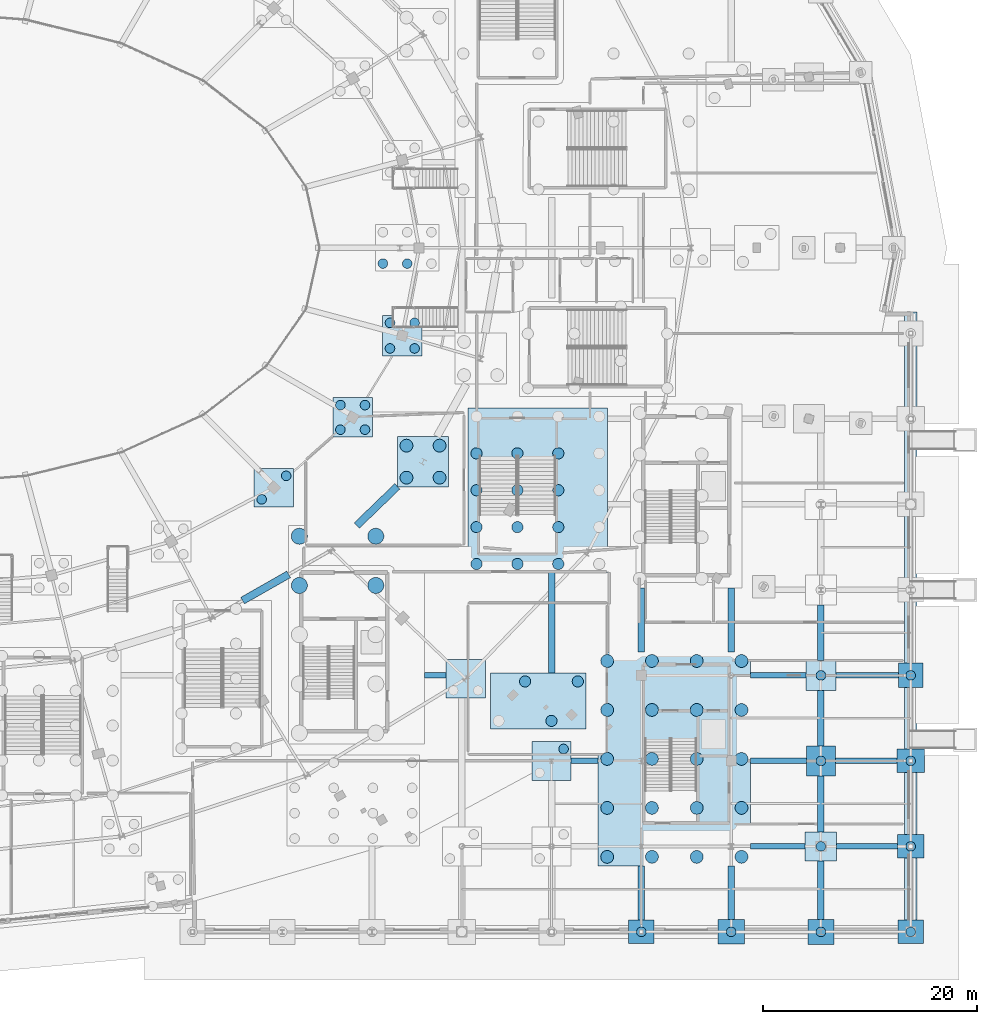
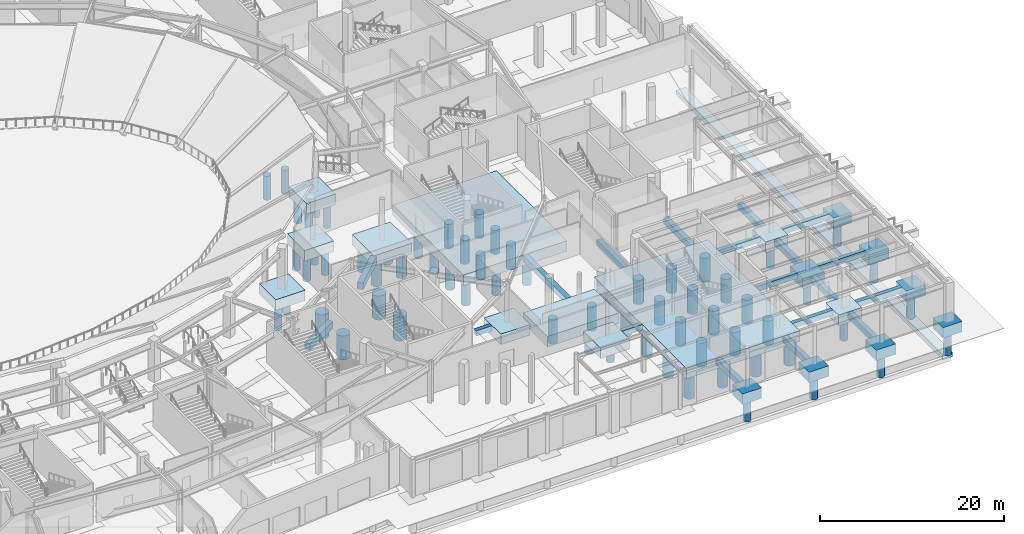
# One storey, part 6 of 93: 66 piles, 39 footings.
"""IFC4 building model written with IfcOpenShell, lengths in metres."""

from ifc_helpers import new_model, si_unit, direction, frame, origin, origin_2d, place, context, subcontext, project, spatial, polyline, rectangle, circle, outline, extrude, material, material_profile, profile_set, type_object, element, save


model = new_model("IFC4")

# Units and contexts
model_context = context("Model", 3, precision=1e-05, world=origin(), true_north=direction((0.0, 1.0)))
body_context = subcontext(model_context, "Body", "Model", "MODEL_VIEW")
ifc_project = project(units=[si_unit("LENGTHUNIT", "METRE"), si_unit("AREAUNIT", "SQUARE_METRE"), si_unit("VOLUMEUNIT", "CUBIC_METRE"), si_unit("PLANEANGLEUNIT", "RADIAN"), si_unit("MASSUNIT", "GRAM", prefix="KILO")], contexts=[model_context])

# Site, building, storey
site_placement = place(None, origin())
site = spatial("IfcSite", under=ifc_project, at=site_placement, CompositionType="ELEMENT")
building_placement = place(site_placement, origin())
building = spatial("IfcBuilding", under=site, at=building_placement, Name="Kalgoora Escarpment Arena", CompositionType="ELEMENT")
storey_placement = place(building_placement, origin())
storey = spatial("IfcBuildingStorey", under=building, at=storey_placement, Name="L00", CompositionType="ELEMENT", Elevation=0.0)

# Footings
ifc_material_1 = material(Name="Concrete N40 (fc' 40 MPa)", Category="concrete")
ifc_material_profile_1 = material_profile(ifc_material_1, rectangle(XDim=0.5, YDim=0.699951171875, at=origin_2d()))
ifc_profile_set_1 = profile_set([ifc_material_profile_1], Name="Concrete N40 (fc' 40 MPa)")
footing_type_1 = type_object("IfcFootingType", Name="FTG-GB700x500", PredefinedType="FOOTING_BEAM", material=ifc_profile_set_1)
footing_1_placement = place(storey_placement, frame((169.820068359375, 8.0, -0.35009765625), z_axis=(1.0, 0.0, 0.0), x_axis=(0.0, 1.0, 0.0)))
element("IfcFooting", 1, at=footing_1_placement, inside=storey, type_object=footing_type_1, Name="Ground tie beam GB-070", PredefinedType="FOOTING_BEAM", context=body_context, shape_type="SweptSolid", body=[
    extrude(rectangle(XDim=0.5, YDim=0.699951171875, at=origin_2d()), origin(), (0.0, 0.0, 1.0), 5.099853515625),
])
footing_2_placement = place(storey_placement, frame((177.8798828125, 8.0, -0.35009765625), z_axis=(1.0, 0.0, 0.0), x_axis=(0.0, 1.0, 0.0)))
element("IfcFooting", 2, at=footing_2_placement, inside=storey, type_object=footing_type_1, Name="Ground tie beam GB-071", PredefinedType="FOOTING_BEAM", context=body_context, shape_type="SweptSolid", body=[
    extrude(rectangle(XDim=0.5, YDim=0.699951171875, at=origin_2d()), origin(), (0.0, 0.0, 1.0), 5.690185546875),
])
footing_3_placement = place(storey_placement, frame((153.02001953125, 16.0, -0.35009765625), z_axis=(1.0, 0.0, 0.0), x_axis=(0.0, 1.0, 0.0)))
element("IfcFooting", 3, at=footing_3_placement, inside=storey, type_object=footing_type_1, Name="Ground tie beam GB-075", PredefinedType="FOOTING_BEAM", context=body_context, shape_type="SweptSolid", body=[
    extrude(rectangle(XDim=0.5, YDim=0.699951171875, at=origin_2d()), origin(), (0.0, 0.0, 1.0), 2.530029296875),
])
footing_4_placement = place(storey_placement, frame((169.820068359375, 16.0, -0.35009765625), z_axis=(1.0, 0.0, 0.0), x_axis=(0.0, 1.0, 0.0)))
element("IfcFooting", 4, at=footing_4_placement, inside=storey, type_object=footing_type_1, Name="Ground tie beam GB-076", PredefinedType="FOOTING_BEAM", context=body_context, shape_type="SweptSolid", body=[
    extrude(rectangle(XDim=0.5, YDim=0.699951171875, at=origin_2d()), origin(), (0.0, 0.0, 1.0), 5.219970703125),
])
footing_5_placement = place(storey_placement, frame((177.760009765625, 16.0, -0.35009765625), z_axis=(1.0, 0.0, 0.0), x_axis=(0.0, 1.0, 0.0)))
element("IfcFooting", 5, at=footing_5_placement, inside=storey, type_object=footing_type_1, Name="Ground tie beam GB-077", PredefinedType="FOOTING_BEAM", context=body_context, shape_type="SweptSolid", body=[
    extrude(rectangle(XDim=0.5, YDim=0.699951171875, at=origin_2d()), origin(), (0.0, 0.0, 1.0), 5.77001953125),
])
footing_6_placement = place(storey_placement, frame((139.330078125, 24.0, -0.35009765625), z_axis=(1.0, 0.0, 0.0), x_axis=(0.0, 1.0, 0.0)))
element("IfcFooting", 6, at=footing_6_placement, inside=storey, type_object=footing_type_1, Name="Ground tie beam GB-082", PredefinedType="FOOTING_BEAM", context=body_context, shape_type="SweptSolid", body=[
    extrude(rectangle(XDim=0.5, YDim=0.699951171875, at=origin_2d()), origin(), (0.0, 0.0, 1.0), 1.989990234375),
])
footing_7_placement = place(storey_placement, frame((169.820068359375, 24.0, -0.35009765625), z_axis=(1.0, 0.0, 0.0), x_axis=(0.0, 1.0, 0.0)))
element("IfcFooting", 7, at=footing_7_placement, inside=storey, type_object=footing_type_1, Name="Ground tie beam GB-083", PredefinedType="FOOTING_BEAM", context=body_context, shape_type="SweptSolid", body=[
    extrude(rectangle(XDim=0.5, YDim=0.699951171875, at=origin_2d()), origin(), (0.0, 0.0, 1.0), 5.179931640625),
])
footing_8_placement = place(storey_placement, frame((177.800048828125, 24.0, -0.35009765625), z_axis=(1.0, 0.0, 0.0), x_axis=(0.0, 1.0, 0.0)))
element("IfcFooting", 8, at=footing_8_placement, inside=storey, type_object=footing_type_1, Name="Ground tie beam GB-084", PredefinedType="FOOTING_BEAM", context=body_context, shape_type="SweptSolid", body=[
    extrude(rectangle(XDim=0.5, YDim=0.699951171875, at=origin_2d()), origin(), (0.0, 0.0, 1.0), 5.849853515625),
])
ifc_material_2 = material(Name="Concrete N40 (fc' 40 MPa)", Category="concrete")
ifc_material_profile_2 = material_profile(ifc_material_2, rectangle(XDim=0.60009765625, YDim=0.800048828125, at=origin_2d()))
ifc_profile_set_2 = profile_set([ifc_material_profile_2], Name="Concrete N40 (fc' 40 MPa)")
footing_type_2 = type_object("IfcFootingType", Name="FTG-GB800x600", PredefinedType="FOOTING_BEAM", material=ifc_profile_set_2)
footing_9_placement = place(storey_placement, frame((151.199951171875, 24.2099609375, -0.39990234375), z_axis=(0.0, 1.0, 0.0), x_axis=(-1.0, 0.0, 0.0)))
element("IfcFooting", 9, at=footing_9_placement, inside=storey, type_object=footing_type_2, Name="Ground tie beam GB-051", PredefinedType="FOOTING_BEAM", context=body_context, shape_type="SweptSolid", body=[
    extrude(rectangle(XDim=0.60009765625, YDim=0.800048828125, at=origin_2d()), origin(), (0.0, 0.0, 1.0), 9.43994140625),
])
footing_10_placement = place(storey_placement, frame((159.60009765625, 1.10009765625, -0.39990234375), z_axis=(0.0, 1.0, 0.0), x_axis=(-1.0, 0.0, 0.0)))
element("IfcFooting", 10, at=footing_10_placement, inside=storey, type_object=footing_type_2, Name="Ground tie beam GB-055", PredefinedType="FOOTING_BEAM", context=body_context, shape_type="SweptSolid", body=[
    extrude(rectangle(XDim=0.60009765625, YDim=0.800048828125, at=origin_2d()), origin(), (0.0, 0.0, 1.0), 5.06982421875),
])
footing_11_placement = place(storey_placement, frame((159.60009765625, 26.199951171875, -0.39990234375), z_axis=(0.0, 1.0, 0.0), x_axis=(-1.0, 0.0, 0.0)))
element("IfcFooting", 11, at=footing_11_placement, inside=storey, type_object=footing_type_2, Name="Ground tie beam GB-056", PredefinedType="FOOTING_BEAM", context=body_context, shape_type="SweptSolid", body=[
    extrude(rectangle(XDim=0.60009765625, YDim=0.800048828125, at=origin_2d()), origin(), (0.0, 0.0, 1.0), 6.0),
])
footing_12_placement = place(storey_placement, frame((168.0, 1.139892578125, -0.39990234375), z_axis=(0.0, 1.0, 0.0), x_axis=(-1.0, 0.0, 0.0)))
element("IfcFooting", 12, at=footing_12_placement, inside=storey, type_object=footing_type_2, Name="Ground tie beam GB-059", PredefinedType="FOOTING_BEAM", context=body_context, shape_type="SweptSolid", body=[
    extrude(rectangle(XDim=0.60009765625, YDim=0.800048828125, at=origin_2d()), origin(), (0.0, 0.0, 1.0), 5.030029296875),
])
footing_13_placement = place(storey_placement, frame((168.0, 26.199951171875, -0.39990234375), z_axis=(0.0, 1.0, 0.0), x_axis=(-1.0, 0.0, 0.0)))
element("IfcFooting", 13, at=footing_13_placement, inside=storey, type_object=footing_type_2, Name="Ground tie beam GB-060", PredefinedType="FOOTING_BEAM", context=body_context, shape_type="SweptSolid", body=[
    extrude(rectangle(XDim=0.60009765625, YDim=0.800048828125, at=origin_2d()), origin(), (0.0, 0.0, 1.0), 6.0),
])
footing_14_placement = place(storey_placement, frame((176.39990234375, 1.179931640625, -0.39990234375), z_axis=(0.0, 1.0, 0.0), x_axis=(-1.0, 0.0, 0.0)))
element("IfcFooting", 14, at=footing_14_placement, inside=storey, type_object=footing_type_2, Name="Ground tie beam GB-062", PredefinedType="FOOTING_BEAM", context=body_context, shape_type="SweptSolid", body=[
    extrude(rectangle(XDim=0.60009765625, YDim=0.800048828125, at=origin_2d()), origin(), (0.0, 0.0, 1.0), 5.449951171875),
])
footing_15_placement = place(storey_placement, frame((176.39990234375, 9.3701171875, -0.39990234375), z_axis=(0.0, 1.0, 0.0), x_axis=(-1.0, 0.0, 0.0)))
element("IfcFooting", 15, at=footing_15_placement, inside=storey, type_object=footing_type_2, Name="Ground tie beam GB-063", PredefinedType="FOOTING_BEAM", context=body_context, shape_type="SweptSolid", body=[
    extrude(rectangle(XDim=0.60009765625, YDim=0.800048828125, at=origin_2d()), origin(), (0.0, 0.0, 1.0), 5.219970703125),
])
for number, where, z_axis, x_axis, name in (
    (16, (176.39990234375, 17.409912109375, -0.39990234375), (0.0, 1.0, 0.0), (-1.0, 0.0, 0.0), "Ground tie beam GB-064"),
    (17, (176.39990234375, 25.409912109375, -0.39990234375), (0.0, 1.0, 0.0), (-1.0, 0.0, 0.0), "Ground tie beam GB-065"),
):
    element("IfcFooting", number, at=place(storey_placement, frame(where, z_axis=z_axis, x_axis=x_axis)), inside=storey, type_object=footing_type_2, Name=name, PredefinedType="FOOTING_BEAM", context=body_context, shape_type="SweptSolid", body=[
        extrude(rectangle(XDim=0.60009765625, YDim=0.800048828125, at=origin_2d()), origin(), (0.0, 0.0, 1.0), 5.18017578125),
    ])
ifc_material_3 = material(Name="Concrete N40 (fc' 40 MPa)", Category="concrete")
ifc_material_profile_3 = material_profile(ifc_material_3, rectangle(XDim=0.699951171875, YDim=0.89990234375, at=origin_2d()))
ifc_profile_set_3 = profile_set([ifc_material_profile_3], Name="Concrete N40 (fc' 40 MPa)")
footing_type_3 = type_object("IfcFootingType", Name="FTG-GB900x700", PredefinedType="FOOTING_BEAM", material=ifc_profile_set_3)
footing_16_placement = place(storey_placement, frame((122.287109375, 31.0, -0.449951171875), z_axis=(0.86938256602, 0.494139609726, 0.0), x_axis=(-0.494139609726, 0.86938256602, 0.0)))
element("IfcFooting", 18, at=footing_16_placement, inside=storey, type_object=footing_type_3, Name="Ground tie beam GB-019", PredefinedType="FOOTING_BEAM", context=body_context, shape_type="SweptSolid", body=[
    extrude(rectangle(XDim=0.699951171875, YDim=0.89990234375, at=origin_2d()), origin(), (0.0, 0.0, 1.0), 4.9609375),
])
footing_17_placement = place(storey_placement, frame((132.970703125, 38.02001953125, -0.449951171875), z_axis=(0.719479526, 0.694513651174, 0.0), x_axis=(-0.694513651174, 0.719479526, 0.0)))
element("IfcFooting", 19, at=footing_17_placement, inside=storey, type_object=footing_type_3, Name="Ground tie beam GB-020", PredefinedType="FOOTING_BEAM", context=body_context, shape_type="SweptSolid", body=[
    extrude(rectangle(XDim=0.699951171875, YDim=0.89990234375, at=origin_2d()), origin(), (0.0, 0.0, 1.0), 5.28076171875),
])
ifc_material_4 = material(Name="Concrete N40 (fc' 40 MPa)", Category="concrete")
footing_type_4 = type_object("IfcFootingType", Name="FTG-PC-1303x1535", PredefinedType="PILE_CAP", material=ifc_material_4)
footing_18_placement = place(storey_placement, frame((149.9150390625, 41.324951171875, -1.39990234375), z_axis=(0.0, 0.0, 1.0), x_axis=(1.0, 0.0, 0.0)))
element("IfcFooting", 20, at=footing_18_placement, inside=storey, type_object=footing_type_4, Name="Pile cap FND-ST-ST24", PredefinedType="PILE_CAP", context=body_context, shape_type="SweptSolid", body=[
    extrude(rectangle(XDim=13.030029296875, YDim=15.35009765625, at=origin_2d()), origin(), (0.0, 0.0, 1.0), 1.39990234375),
])
ifc_material_5 = material(Name="Concrete N40 (fc' 40 MPa)", Category="concrete")
footing_type_5 = type_object("IfcFootingType", Name="FTG-PC-1427x2003", PredefinedType="PILE_CAP", material=ifc_material_5)
footing_19_placement = place(storey_placement, frame((162.68505859375, 16.18505859375, -1.39990234375), z_axis=(0.0, 0.0, 1.0), x_axis=(1.0, 0.0, 0.0)))
element("IfcFooting", 21, at=footing_19_placement, inside=storey, type_object=footing_type_5, Name="Pile cap FND-RAFT-C8", PredefinedType="PILE_CAP", context=body_context, shape_type="SweptSolid", body=[
    extrude(rectangle(XDim=14.27001953125, YDim=20.030029296875, at=origin_2d()), origin(), (0.0, 0.0, 1.0), 1.39990234375),
])
ifc_material_6 = material(Name="Concrete N40 (fc' 40 MPa)", Category="concrete")
footing_type_6 = type_object("IfcFootingType", Name="FTG-PC-230x228", PredefinedType="PILE_CAP", material=ifc_material_6)
footing_20_placement = place(storey_placement, frame((184.800048828125, 24.0, -1.39990234375), z_axis=(0.0, 0.0, 1.0), x_axis=(1.0, 0.0, 0.0)))
element("IfcFooting", 22, at=footing_20_placement, inside=storey, type_object=footing_type_6, Name="Pile cap FND-COL-G23-D", PredefinedType="PILE_CAP", context=body_context, shape_type="SweptSolid", body=[
    extrude(rectangle(XDim=2.300048828125, YDim=2.280029296875, at=origin_2d()), origin(), (0.0, 0.0, 1.0), 1.39990234375),
])
ifc_material_7 = material(Name="Concrete N40 (fc' 40 MPa)", Category="concrete")
footing_type_7 = type_object("IfcFootingType", Name="FTG-PC-238x220", PredefinedType="PILE_CAP", material=ifc_material_7)
for number, where, z_axis, x_axis, name in (
    (23, (159.60009765625, 0.0, -1.39990234375), (0.0, 0.0, 1.0), (1.0, 0.0, 0.0), "Pile cap FND-COL-G20-A"),
    (24, (184.800048828125, 0.0, -1.39990234375), (0.0, 0.0, 1.0), (1.0, 0.0, 0.0), "Pile cap FND-COL-G23-A"),
):
    element("IfcFooting", number, at=place(storey_placement, frame(where, z_axis=z_axis, x_axis=x_axis)), inside=storey, type_object=footing_type_7, Name=name, PredefinedType="PILE_CAP", context=body_context, shape_type="SweptSolid", body=[
        extrude(rectangle(XDim=2.3798828125, YDim=2.199951171875, at=origin_2d()), origin(), (0.0, 0.0, 1.0), 1.39990234375),
    ])
ifc_material_8 = material(Name="Concrete N40 (fc' 40 MPa)", Category="concrete")
footing_type_8 = type_object("IfcFootingType", Name="FTG-PC-246x220", PredefinedType="PILE_CAP", material=ifc_material_8)
footing_21_placement = place(storey_placement, frame((184.800048828125, 8.0, -1.39990234375), z_axis=(0.0, 0.0, 1.0), x_axis=(1.0, 0.0, 0.0)))
element("IfcFooting", 25, at=footing_21_placement, inside=storey, type_object=footing_type_8, Name="Pile cap FND-COL-G23-B", PredefinedType="PILE_CAP", context=body_context, shape_type="SweptSolid", body=[
    extrude(rectangle(XDim=2.4599609375, YDim=2.199951171875, at=origin_2d()), origin(), (0.0, 0.0, 1.0), 1.39990234375),
])
ifc_material_9 = material(Name="Concrete N40 (fc' 40 MPa)", Category="concrete")
footing_type_9 = type_object("IfcFootingType", Name="FTG-PC-246x228", PredefinedType="PILE_CAP", material=ifc_material_9)
footing_22_placement = place(storey_placement, frame((168.0, 0.0, -1.39990234375), z_axis=(0.0, 0.0, 1.0), x_axis=(1.0, 0.0, 0.0)))
element("IfcFooting", 26, at=footing_22_placement, inside=storey, type_object=footing_type_9, Name="Pile cap FND-COL-G21-A", PredefinedType="PILE_CAP", context=body_context, shape_type="SweptSolid", body=[
    extrude(rectangle(XDim=2.4599609375, YDim=2.280029296875, at=origin_2d()), origin(), (0.0, 0.0, 1.0), 1.39990234375),
])
ifc_material_10 = material(Name="Concrete N40 (fc' 40 MPa)", Category="concrete")
footing_type_10 = type_object("IfcFootingType", Name="FTG-PC-246x236", PredefinedType="PILE_CAP", material=ifc_material_10)
footing_23_placement = place(storey_placement, frame((176.39990234375, 0.0, -1.39990234375), z_axis=(0.0, 0.0, 1.0), x_axis=(1.0, 0.0, 0.0)))
element("IfcFooting", 27, at=footing_23_placement, inside=storey, type_object=footing_type_10, Name="Pile cap FND-COL-G22-A", PredefinedType="PILE_CAP", context=body_context, shape_type="SweptSolid", body=[
    extrude(rectangle(XDim=2.4599609375, YDim=2.360107421875, at=origin_2d()), origin(), (0.0, 0.0, 1.0), 1.39990234375),
])
ifc_material_11 = material(Name="Concrete N40 (fc' 40 MPa)", Category="concrete")
footing_type_11 = type_object("IfcFootingType", Name="FTG-PC-254x220", PredefinedType="PILE_CAP", material=ifc_material_11)
footing_24_placement = place(storey_placement, frame((184.800048828125, 16.0, -1.39990234375), z_axis=(0.0, 0.0, 1.0), x_axis=(1.0, 0.0, 0.0)))
element("IfcFooting", 28, at=footing_24_placement, inside=storey, type_object=footing_type_11, Name="Pile cap FND-COL-G23-C", PredefinedType="PILE_CAP", context=body_context, shape_type="SweptSolid", body=[
    extrude(rectangle(XDim=2.5400390625, YDim=2.199951171875, at=origin_2d()), origin(), (0.0, 0.0, 1.0), 1.39990234375),
])
ifc_material_12 = material(Name="Concrete N40 (fc' 40 MPa)", Category="concrete")
footing_type_12 = type_object("IfcFootingType", Name="FTG-PC-272x282", PredefinedType="PILE_CAP", material=ifc_material_12)
footing_25_placement = place(storey_placement, frame((176.39990234375, 16.0, -1.39990234375), z_axis=(0.0, 0.0, 1.0), x_axis=(1.0, 0.0, 0.0)))
element("IfcFooting", 29, at=footing_25_placement, inside=storey, type_object=footing_type_12, Name="Pile cap FND-COL-G22-C", PredefinedType="PILE_CAP", context=body_context, shape_type="SweptSolid", body=[
    extrude(rectangle(XDim=2.719970703125, YDim=2.820068359375, at=origin_2d()), origin(), (0.0, 0.0, 1.0), 1.39990234375),
])
ifc_material_13 = material(Name="Concrete N40 (fc' 40 MPa)", Category="concrete")
footing_type_13 = type_object("IfcFootingType", Name="FTG-PC-280x282", PredefinedType="PILE_CAP", material=ifc_material_13)
footing_26_placement = place(storey_placement, frame((176.39990234375, 24.0, -1.39990234375), z_axis=(0.0, 0.0, 1.0), x_axis=(1.0, 0.0, 0.0)))
element("IfcFooting", 30, at=footing_26_placement, inside=storey, type_object=footing_type_13, Name="Pile cap FND-COL-G22-D", PredefinedType="PILE_CAP", context=body_context, shape_type="SweptSolid", body=[
    extrude(rectangle(XDim=2.800048828125, YDim=2.820068359375, at=origin_2d()), origin(), (0.0, 0.0, 1.0), 1.39990234375),
])
ifc_material_14 = material(Name="Concrete N40 (fc' 40 MPa)", Category="concrete")
footing_type_14 = type_object("IfcFootingType", Name="FTG-PC-296x274", PredefinedType="PILE_CAP", material=ifc_material_14)
footing_27_placement = place(storey_placement, frame((176.39990234375, 8.0, -1.39990234375), z_axis=(0.0, 0.0, 1.0), x_axis=(1.0, 0.0, 0.0)))
element("IfcFooting", 31, at=footing_27_placement, inside=storey, type_object=footing_type_14, Name="Pile cap FND-COL-G22-B", PredefinedType="PILE_CAP", context=body_context, shape_type="SweptSolid", body=[
    extrude(rectangle(XDim=2.9599609375, YDim=2.739990234375, at=origin_2d()), origin(), (0.0, 0.0, 1.0), 1.39990234375),
])
ifc_material_15 = material(Name="Concrete N40 (fc' 40 MPa)", Category="concrete")
footing_type_15 = type_object("IfcFootingType", Name="FTG-PC-364x364", PredefinedType="PILE_CAP", material=ifc_material_15)
footing_28_placement = place(storey_placement, frame((151.199951171875, 16.0, -1.39990234375), z_axis=(0.0, 0.0, 1.0), x_axis=(1.0, 0.0, 0.0)))
element("IfcFooting", 32, at=footing_28_placement, inside=storey, type_object=footing_type_15, Name="Pile cap FND-COL-G19-C", PredefinedType="PILE_CAP", context=body_context, shape_type="SweptSolid", body=[
    extrude(rectangle(XDim=3.639892578125, YDim=3.639892578125, at=origin_2d()), origin(), (0.0, 0.0, 1.0), 1.39990234375),
])
ifc_material_16 = material(Name="Concrete N40 (fc' 40 MPa)", Category="concrete")
footing_type_16 = type_object("IfcFootingType", Name="FTG-PC-370x360", PredefinedType="PILE_CAP", material=ifc_material_16)
for number, where, z_axis, x_axis, name in (
    (33, (125.219970703125, 41.570068359375, -1.39990234375), (0.0, 0.0, 1.0), (1.0, 0.0, 0.0), "Pile cap FND-COL-RMID-R22"),
    (34, (143.169921875, 23.68994140625, -1.39990234375), (0.0, 0.0, 1.0), (1.0, 0.0, 0.0), "Pile cap FND-COL-RCONC2-R22"),
):
    element("IfcFooting", number, at=place(storey_placement, frame(where, z_axis=z_axis, x_axis=x_axis)), inside=storey, type_object=footing_type_16, Name=name, PredefinedType="PILE_CAP", context=body_context, shape_type="SweptSolid", body=[
        extrude(rectangle(XDim=3.699951171875, YDim=3.60009765625, at=origin_2d()), origin(), (0.0, 0.0, 1.0), 1.39990234375),
    ])
ifc_material_17 = material(Name="Concrete N40 (fc' 40 MPa)", Category="concrete")
footing_type_17 = type_object("IfcFootingType", Name="FTG-PC-370x370", PredefinedType="PILE_CAP", material=ifc_material_17)
footing_29_placement = place(storey_placement, frame((132.590087890625, 48.139892578125, -1.39990234375), z_axis=(0.0, 0.0, 1.0), x_axis=(1.0, 0.0, 0.0)))
element("IfcFooting", 35, at=footing_29_placement, inside=storey, type_object=footing_type_17, Name="Pile cap FND-COL-RMID-R23", PredefinedType="PILE_CAP", context=body_context, shape_type="SweptSolid", body=[
    extrude(rectangle(XDim=3.699951171875, YDim=3.699951171875, at=origin_2d()), origin(), (0.0, 0.0, 1.0), 1.39990234375),
])
ifc_material_18 = material(Name="Concrete N40 (fc' 40 MPa)", Category="concrete")
footing_type_18 = type_object("IfcFootingType", Name="FTG-PC-370x380", PredefinedType="PILE_CAP", material=ifc_material_18)
footing_30_placement = place(storey_placement, frame((137.22998046875, 55.7900390625, -1.39990234375), z_axis=(0.0, 0.0, 1.0), x_axis=(1.0, 0.0, 0.0)))
element("IfcFooting", 36, at=footing_30_placement, inside=storey, type_object=footing_type_18, Name="Pile cap FND-COL-RMID-R24", PredefinedType="PILE_CAP", context=body_context, shape_type="SweptSolid", body=[
    extrude(rectangle(XDim=3.699951171875, YDim=3.800048828125, at=origin_2d()), origin(), (0.0, 0.0, 1.0), 1.39990234375),
])
ifc_material_19 = material(Name="Concrete N40 (fc' 40 MPa)", Category="concrete")
footing_type_19 = type_object("IfcFootingType", Name="FTG-PC-480x470", PredefinedType="PILE_CAP", material=ifc_material_19)
footing_31_placement = place(storey_placement, frame((139.169921875, 44.0, -1.39990234375), z_axis=(0.0, 0.0, 1.0), x_axis=(1.0, 0.0, 0.0)))
element("IfcFooting", 37, at=footing_31_placement, inside=storey, type_object=footing_type_19, Name="Pile cap FND-COL-RMAIN-R23", PredefinedType="PILE_CAP", context=body_context, shape_type="SweptSolid", body=[
    extrude(rectangle(XDim=4.800048828125, YDim=4.699951171875, at=origin_2d()), origin(), (0.0, 0.0, 1.0), 1.39990234375),
])
ifc_material_20 = material(Name="Concrete N40 (fc' 40 MPa)", Category="concrete")
footing_type_20 = type_object("IfcFootingType", Name="FTG-PC-895x524", PredefinedType="PILE_CAP", material=ifc_material_20)
footing_32_placement = place(storey_placement, frame((149.955078125, 21.590087890625, -1.39990234375), z_axis=(0.0, 0.0, 1.0), x_axis=(1.0, 0.0, 0.0)))
element("IfcFooting", 38, at=footing_32_placement, inside=storey, type_object=footing_type_20, Name="Pile cap FND-COL-RBASE1-R22", PredefinedType="PILE_CAP", context=body_context, shape_type="SweptSolid", body=[
    extrude(rectangle(XDim=8.949951171875, YDim=5.239990234375, at=origin_2d()), origin(), (0.0, 0.0, 1.0), 1.39990234375),
])
ifc_material_21 = material(Name="Concrete N40 (fc' 40 MPa)", Category="concrete")
footing_type_21 = type_object("IfcFootingType", Name="FTG-STRIP-1200", PredefinedType="STRIP_FOOTING", material=ifc_material_21)
footing_33_placement = place(storey_placement, frame((0.0, 0.0, -5.14990234375)))
element("IfcFooting", 39, at=footing_33_placement, inside=storey, type_object=footing_type_21, Name="Escarpment retaining strip footing SF-01", PredefinedType="STRIP_FOOTING", context=body_context, shape_type="SweptSolid", body=[
    extrude(outline(polyline([(184.199951171875, 58.0), (184.199951171875, 0.0), (185.39990234375, 0.0), (185.39990234375, 58.0), (184.199951171875, 58.0)])), origin(), (0.0, 0.0, 1.0), 0.64990234375),
])

# Piles
ifc_material_22 = material(Name="Concrete N50 (fc' 50 MPa)", Category="concrete")
ifc_material_profile_4 = material_profile(ifc_material_22, circle(Radius=0.52490234375, at=origin_2d()))
ifc_profile_set_4 = profile_set([ifc_material_profile_4], Name="Concrete N50 (fc' 50 MPa)")
pile_type_1 = type_object("IfcPileType", Name="PIL-PILE-1050", PredefinedType="BORED", material=ifc_profile_set_4)
for number, where, z_axis, x_axis, name in (
    (40, (144.175048828125, 34.425048828125, -1.300048828125), (0.0, 0.0, -1.0), (1.0, 0.0, 0.0), "Bored pile FND-ST-ST24 P01"),
    (41, (144.175048828125, 37.875, -1.300048828125), (0.0, 0.0, -1.0), (1.0, 0.0, 0.0), "Bored pile FND-ST-ST24 P02"),
    (42, (144.175048828125, 41.324951171875, -1.300048828125), (0.0, 0.0, -1.0), (1.0, 0.0, 0.0), "Bored pile FND-ST-ST24 P03"),
    (43, (144.175048828125, 44.77490234375, -1.300048828125), (0.0, 0.0, -1.0), (1.0, 0.0, 0.0), "Bored pile FND-ST-ST24 P04"),
    (44, (148.001708984375, 34.425048828125, -1.300048828125), (0.0, 0.0, -1.0), (1.0, 0.0, 0.0), "Bored pile FND-ST-ST24 P06"),
    (45, (148.001708984375, 37.875, -1.300048828125), (0.0, 0.0, -1.0), (1.0, 0.0, 0.0), "Bored pile FND-ST-ST24 P07"),
    (46, (148.001708984375, 41.324951171875, -1.300048828125), (0.0, 0.0, -1.0), (1.0, 0.0, 0.0), "Bored pile FND-ST-ST24 P08"),
    (47, (148.001708984375, 44.77490234375, -1.300048828125), (0.0, 0.0, -1.0), (1.0, 0.0, 0.0), "Bored pile FND-ST-ST24 P09"),
    (48, (151.828369140625, 34.425048828125, -1.300048828125), (0.0, 0.0, -1.0), (1.0, 0.0, 0.0), "Bored pile FND-ST-ST24 P11"),
    (49, (151.828369140625, 37.875, -1.300048828125), (0.0, 0.0, -1.0), (1.0, 0.0, 0.0), "Bored pile FND-ST-ST24 P12"),
    (50, (151.828369140625, 41.324951171875, -1.300048828125), (0.0, 0.0, -1.0), (1.0, 0.0, 0.0), "Bored pile FND-ST-ST24 P13"),
    (51, (151.828369140625, 44.77490234375, -1.300048828125), (0.0, 0.0, -1.0), (1.0, 0.0, 0.0), "Bored pile FND-ST-ST24 P14"),
    (52, (148.7216796875, 23.43505859375, -1.300048828125), (0.0, 0.0, -1.0), (1.0, 0.0, 0.0), "Bored pile FND-COL-RBASE1-R22 P02"),
    (53, (151.188232421875, 19.7451171875, -1.300048828125), (0.0, 0.0, -1.0), (1.0, 0.0, 0.0), "Bored pile FND-COL-RBASE1-R22 P03"),
    (54, (153.655029296875, 23.43505859375, -1.300048828125), (0.0, 0.0, -1.0), (1.0, 0.0, 0.0), "Bored pile FND-COL-RBASE1-R22 P04"),
):
    element("IfcPile", number, at=place(storey_placement, frame(where, z_axis=z_axis, x_axis=x_axis)), inside=storey, type_object=pile_type_1, Name=name, PredefinedType="BORED", context=body_context, shape_type="SweptSolid", body=[
        extrude(circle(Radius=0.52490234375, at=origin_2d()), origin(), (0.0, 0.0, 1.0), 3.199951171875),
    ])
ifc_material_23 = material(Name="Concrete N50 (fc' 50 MPa)", Category="concrete")
ifc_material_profile_5 = material_profile(ifc_material_23, circle(Radius=0.60009765625, at=origin_2d()))
ifc_profile_set_5 = profile_set([ifc_material_profile_5], Name="Concrete N50 (fc' 50 MPa)")
pile_type_2 = type_object("IfcPileType", Name="PIL-PILE-1200", PredefinedType="BORED", material=ifc_profile_set_5)
for number, where, z_axis, x_axis, name in (
    (55, (156.39990234375, 7.02001953125, -1.300048828125), (0.0, 0.0, -1.0), (1.0, 0.0, 0.0), "Bored pile FND-RAFT-C8 P01"),
    (56, (156.39990234375, 11.6025390625, -1.300048828125), (0.0, 0.0, -1.0), (1.0, 0.0, 0.0), "Bored pile FND-RAFT-C8 P02"),
    (57, (156.39990234375, 16.18505859375, -1.300048828125), (0.0, 0.0, -1.0), (1.0, 0.0, 0.0), "Bored pile FND-RAFT-C8 P03"),
    (58, (156.39990234375, 20.767578125, -1.300048828125), (0.0, 0.0, -1.0), (1.0, 0.0, 0.0), "Bored pile FND-RAFT-C8 P04"),
    (59, (156.39990234375, 25.35009765625, -1.300048828125), (0.0, 0.0, -1.0), (1.0, 0.0, 0.0), "Bored pile FND-RAFT-C8 P05"),
    (60, (160.590087890625, 7.02001953125, -1.300048828125), (0.0, 0.0, -1.0), (1.0, 0.0, 0.0), "Bored pile FND-RAFT-C8 P06"),
    (61, (160.590087890625, 11.6025390625, -1.300048828125), (0.0, 0.0, -1.0), (1.0, 0.0, 0.0), "Bored pile FND-RAFT-C8 P07"),
    (62, (160.590087890625, 16.18505859375, -1.300048828125), (0.0, 0.0, -1.0), (1.0, 0.0, 0.0), "Bored pile FND-RAFT-C8 P08"),
    (63, (160.590087890625, 20.767578125, -1.300048828125), (0.0, 0.0, -1.0), (1.0, 0.0, 0.0), "Bored pile FND-RAFT-C8 P09"),
    (64, (160.590087890625, 25.35009765625, -1.300048828125), (0.0, 0.0, -1.0), (1.0, 0.0, 0.0), "Bored pile FND-RAFT-C8 P10"),
    (65, (164.780029296875, 7.02001953125, -1.300048828125), (0.0, 0.0, -1.0), (1.0, 0.0, 0.0), "Bored pile FND-RAFT-C8 P11"),
    (66, (164.780029296875, 11.6025390625, -1.300048828125), (0.0, 0.0, -1.0), (1.0, 0.0, 0.0), "Bored pile FND-RAFT-C8 P12"),
    (67, (164.780029296875, 16.18505859375, -1.300048828125), (0.0, 0.0, -1.0), (1.0, 0.0, 0.0), "Bored pile FND-RAFT-C8 P13"),
    (68, (164.780029296875, 20.767578125, -1.300048828125), (0.0, 0.0, -1.0), (1.0, 0.0, 0.0), "Bored pile FND-RAFT-C8 P14"),
    (69, (164.780029296875, 25.35009765625, -1.300048828125), (0.0, 0.0, -1.0), (1.0, 0.0, 0.0), "Bored pile FND-RAFT-C8 P15"),
    (70, (168.969970703125, 7.02001953125, -1.300048828125), (0.0, 0.0, -1.0), (1.0, 0.0, 0.0), "Bored pile FND-RAFT-C8 P16"),
    (71, (168.969970703125, 11.6025390625, -1.300048828125), (0.0, 0.0, -1.0), (1.0, 0.0, 0.0), "Bored pile FND-RAFT-C8 P17"),
    (72, (168.969970703125, 16.18505859375, -1.300048828125), (0.0, 0.0, -1.0), (1.0, 0.0, 0.0), "Bored pile FND-RAFT-C8 P18"),
    (73, (168.969970703125, 20.767578125, -1.300048828125), (0.0, 0.0, -1.0), (1.0, 0.0, 0.0), "Bored pile FND-RAFT-C8 P19"),
    (74, (168.969970703125, 25.35009765625, -1.300048828125), (0.0, 0.0, -1.0), (1.0, 0.0, 0.0), "Bored pile FND-RAFT-C8 P20"),
    (75, (137.6201171875, 42.5, -1.300048828125), (0.0, 0.0, -1.0), (1.0, 0.0, 0.0), "Bored pile FND-COL-RMAIN-R23 P01"),
    (76, (137.6201171875, 45.5, -1.300048828125), (0.0, 0.0, -1.0), (1.0, 0.0, 0.0), "Bored pile FND-COL-RMAIN-R23 P02"),
    (77, (140.719970703125, 42.5, -1.300048828125), (0.0, 0.0, -1.0), (1.0, 0.0, 0.0), "Bored pile FND-COL-RMAIN-R23 P03"),
    (78, (140.719970703125, 45.5, -1.300048828125), (0.0, 0.0, -1.0), (1.0, 0.0, 0.0), "Bored pile FND-COL-RMAIN-R23 P04"),
):
    element("IfcPile", number, at=place(storey_placement, frame(where, z_axis=z_axis, x_axis=x_axis)), inside=storey, type_object=pile_type_2, Name=name, PredefinedType="BORED", context=body_context, shape_type="SweptSolid", body=[
        extrude(circle(Radius=0.60009765625, at=origin_2d()), origin(), (0.0, 0.0, 1.0), 3.199951171875),
    ])
ifc_material_24 = material(Name="Concrete N50 (fc' 50 MPa)", Category="concrete")
ifc_material_profile_6 = material_profile(ifc_material_24, circle(Radius=0.75, at=origin_2d()))
ifc_profile_set_6 = profile_set([ifc_material_profile_6], Name="Concrete N50 (fc' 50 MPa)")
pile_type_3 = type_object("IfcPileType", Name="PIL-PILE-1500", PredefinedType="BORED", material=ifc_profile_set_6)
for number, where, z_axis, x_axis, name in (
    (79, (127.60009765625, 32.4150390625, -1.300048828125), (0.0, 0.0, -1.0), (1.0, 0.0, 0.0), "Bored pile FND-RAFT-C6 P04"),
    (80, (127.60009765625, 37.02001953125, -1.300048828125), (0.0, 0.0, -1.0), (1.0, 0.0, 0.0), "Bored pile FND-RAFT-C6 P05"),
    (81, (134.75341796875, 32.4150390625, -1.300048828125), (0.0, 0.0, -1.0), (1.0, 0.0, 0.0), "Bored pile FND-RAFT-C6 P09"),
    (82, (134.75341796875, 37.02001953125, -1.300048828125), (0.0, 0.0, -1.0), (1.0, 0.0, 0.0), "Bored pile FND-RAFT-C6 P10"),
):
    element("IfcPile", number, at=place(storey_placement, frame(where, z_axis=z_axis, x_axis=x_axis)), inside=storey, type_object=pile_type_3, Name=name, PredefinedType="BORED", context=body_context, shape_type="SweptSolid", body=[
        extrude(circle(Radius=0.75, at=origin_2d()), origin(), (0.0, 0.0, 1.0), 3.199951171875),
    ])
ifc_material_25 = material(Name="Concrete N50 (fc' 50 MPa)", Category="concrete")
ifc_material_profile_7 = material_profile(ifc_material_25, circle(Radius=0.449951171875, at=origin_2d()))
ifc_profile_set_7 = profile_set([ifc_material_profile_7], Name="Concrete N50 (fc' 50 MPa)")
pile_type_4 = type_object("IfcPileType", Name="PIL-PILE-900", PredefinedType="BORED", material=ifc_profile_set_7)
for number, where, z_axis, x_axis, name in (
    (83, (135.419921875, 62.530029296875, -1.300048828125), (0.0, 0.0, -1.0), (1.0, 0.0, 0.0), "Bored pile FND-COL-RMID-R01 P01"),
    (84, (137.68994140625, 62.530029296875, -1.300048828125), (0.0, 0.0, -1.0), (1.0, 0.0, 0.0), "Bored pile FND-COL-RMID-R01 P03"),
    (85, (124.070068359375, 40.469970703125, -1.300048828125), (0.0, 0.0, -1.0), (1.0, 0.0, 0.0), "Bored pile FND-COL-RMID-R22 P01"),
    (86, (126.3701171875, 42.669921875, -1.300048828125), (0.0, 0.0, -1.0), (1.0, 0.0, 0.0), "Bored pile FND-COL-RMID-R22 P02"),
    (87, (131.43994140625, 46.989990234375, -1.300048828125), (0.0, 0.0, -1.0), (1.0, 0.0, 0.0), "Bored pile FND-COL-RMID-R23 P01"),
    (88, (131.43994140625, 49.2900390625, -1.300048828125), (0.0, 0.0, -1.0), (1.0, 0.0, 0.0), "Bored pile FND-COL-RMID-R23 P02"),
    (89, (133.739990234375, 46.989990234375, -1.300048828125), (0.0, 0.0, -1.0), (1.0, 0.0, 0.0), "Bored pile FND-COL-RMID-R23 P03"),
    (90, (133.739990234375, 49.2900390625, -1.300048828125), (0.0, 0.0, -1.0), (1.0, 0.0, 0.0), "Bored pile FND-COL-RMID-R23 P04"),
    (91, (136.080078125, 54.590087890625, -1.300048828125), (0.0, 0.0, -1.0), (1.0, 0.0, 0.0), "Bored pile FND-COL-RMID-R24 P01"),
    (92, (136.080078125, 56.989990234375, -1.300048828125), (0.0, 0.0, -1.0), (1.0, 0.0, 0.0), "Bored pile FND-COL-RMID-R24 P02"),
    (93, (138.3798828125, 54.590087890625, -1.300048828125), (0.0, 0.0, -1.0), (1.0, 0.0, 0.0), "Bored pile FND-COL-RMID-R24 P03"),
    (94, (138.3798828125, 56.989990234375, -1.300048828125), (0.0, 0.0, -1.0), (1.0, 0.0, 0.0), "Bored pile FND-COL-RMID-R24 P04"),
    (95, (152.320068359375, 17.1201171875, -1.300048828125), (0.0, 0.0, -1.0), (1.0, 0.0, 0.0), "Bored pile FND-COL-G19-C P02"),
    (96, (159.60009765625, 0.0, -1.300048828125), (0.0, 0.0, -1.0), (1.0, 0.0, 0.0), "Bored pile FND-COL-G20-A P01"),
    (97, (168.0, 0.0, -1.300048828125), (0.0, 0.0, -1.0), (1.0, 0.0, 0.0), "Bored pile FND-COL-G21-A P01"),
    (98, (176.39990234375, 0.0, -1.300048828125), (0.0, 0.0, -1.0), (1.0, 0.0, 0.0), "Bored pile FND-COL-G22-A P01"),
    (99, (176.39990234375, 8.0, -1.300048828125), (0.0, 0.0, -1.0), (1.0, 0.0, 0.0), "Bored pile FND-COL-G22-B P01"),
    (100, (176.39990234375, 16.0, -1.300048828125), (0.0, 0.0, -1.0), (1.0, 0.0, 0.0), "Bored pile FND-COL-G22-C P01"),
    (101, (176.39990234375, 24.0, -1.300048828125), (0.0, 0.0, -1.0), (1.0, 0.0, 0.0), "Bored pile FND-COL-G22-D P01"),
    (102, (184.800048828125, 0.0, -1.300048828125), (0.0, 0.0, -1.0), (1.0, 0.0, 0.0), "Bored pile FND-COL-G23-A P01"),
    (103, (184.800048828125, 8.0, -1.300048828125), (0.0, 0.0, -1.0), (1.0, 0.0, 0.0), "Bored pile FND-COL-G23-B P01"),
    (104, (184.800048828125, 16.0, -1.300048828125), (0.0, 0.0, -1.0), (1.0, 0.0, 0.0), "Bored pile FND-COL-G23-C P01"),
    (105, (184.800048828125, 24.0, -1.300048828125), (0.0, 0.0, -1.0), (1.0, 0.0, 0.0), "Bored pile FND-COL-G23-D P01"),
):
    element("IfcPile", number, at=place(storey_placement, frame(where, z_axis=z_axis, x_axis=x_axis)), inside=storey, type_object=pile_type_4, Name=name, PredefinedType="BORED", context=body_context, shape_type="SweptSolid", body=[
        extrude(circle(Radius=0.449951171875, at=origin_2d()), origin(), (0.0, 0.0, 1.0), 3.199951171875),
    ])

save(model, "model.ifc")
